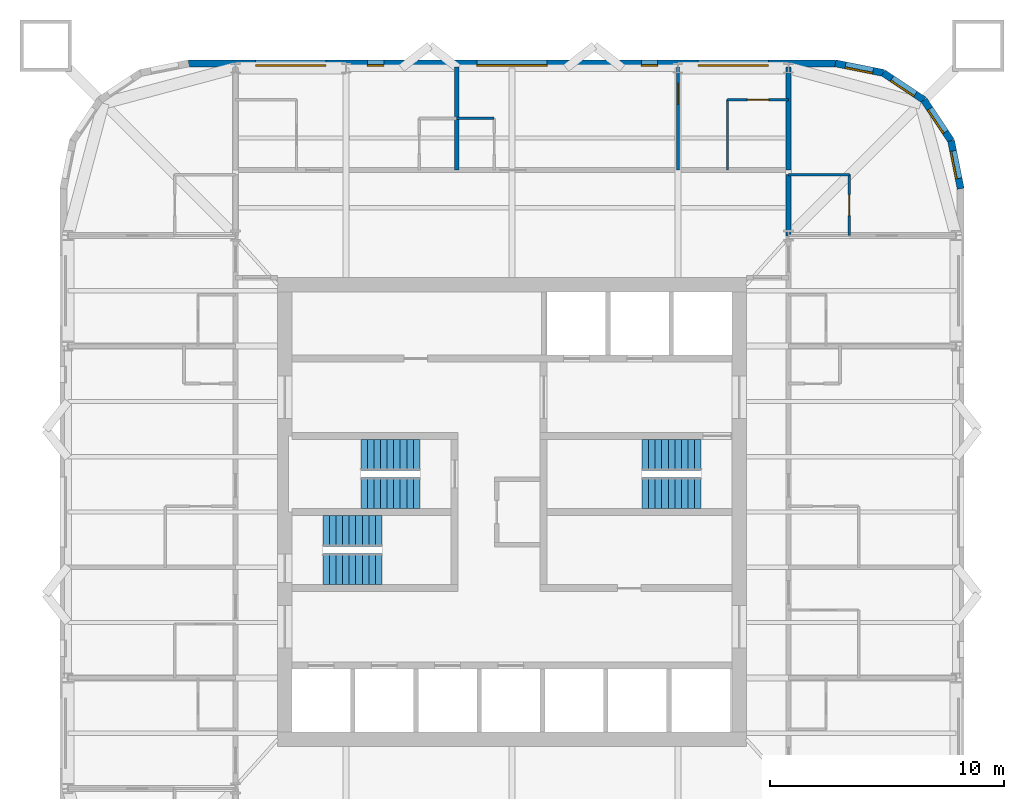
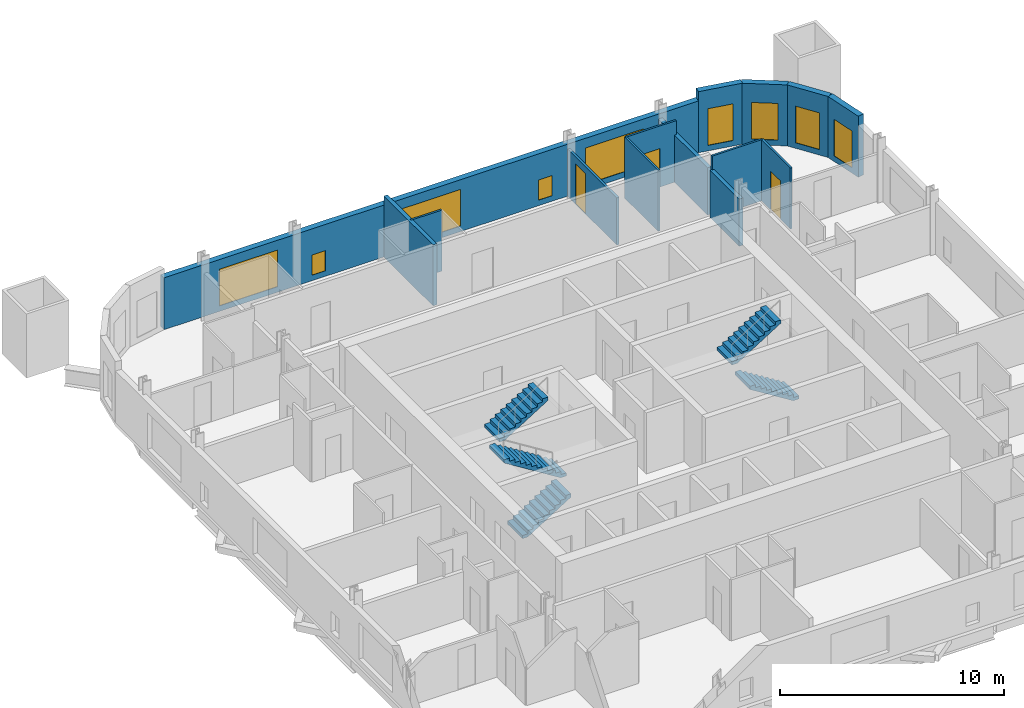
# One storey, part 7 of 8: 14 walls, 9 windows, 6 stair flights, 3 doors, 12 openings, 3 elements without a shape of their own.
"""IFC4 building model written with IfcOpenShell, lengths in metres."""

from ifc_helpers import new_model, si_unit, direction, frame, frame_2d, origin, place, context, subcontext, project, spatial, polyline, rectangle, outline, extrude, material, layer, layer_set, type_object, element, fill, aggregate, save


model = new_model("IFC4")

# Units and contexts
model_context = context("Model", 3, precision=1e-05, world=origin(), true_north=direction((0.0, 1.0)))
body_context = subcontext(model_context, "Body", "Model", "MODEL_VIEW")
ifc_project = project(units=[si_unit("LENGTHUNIT", "METRE"), si_unit("AREAUNIT", "SQUARE_METRE"), si_unit("VOLUMEUNIT", "CUBIC_METRE"), si_unit("PLANEANGLEUNIT", "RADIAN"), si_unit("MASSUNIT", "GRAM", prefix="KILO")], contexts=[model_context])

# Site, building, storey
site_placement = place(None, origin())
site = spatial("IfcSite", under=ifc_project, at=site_placement, CompositionType="ELEMENT")
building_placement = place(site_placement, origin())
building = spatial("IfcBuilding", under=site, at=building_placement, Name="Turquesa Mirador Hotel Tower", CompositionType="ELEMENT")
storey_placement = place(building_placement, frame((0.0, 0.0, 196.800048828125)))
storey = spatial("IfcBuildingStorey", under=building, at=storey_placement, Name="L53", CompositionType="ELEMENT", Elevation=196.800048828125)

# Walls
ifc_material_1 = material(Name="Gypsum board on steel studs", Category="steel")
ifc_layer_1 = layer(ifc_material_1, 0.10009765625)
ifc_layer_set_1 = layer_set([ifc_layer_1], Name="BATHROOM WALL 100")
wall_type_1 = type_object("IfcWallType", Name="BATHROOM WALL 100", PredefinedType="PARTITIONING", material=ifc_layer_set_1)
wall_1_placement = place(storey_placement, frame((66.800048828125, 59.39990234375, 0.0), z_axis=(0.0, 0.0, 1.0), x_axis=(1.0, 0.0, 0.0)))
element("IfcWall", 1, at=wall_1_placement, inside=storey, type_object=wall_type_1, Name="Partition L53 029", PredefinedType="PARTITIONING", context=body_context, shape_type="SweptSolid", body=[
    extrude(rectangle(XDim=2.599853515625, YDim=0.10009765625, at=frame_2d((1.2998046875, 0.0))), origin(), (0.0, 0.0, 1.0), 3.329833984375),
])
wall_2_placement = place(storey_placement, frame((52.639892578125, 61.800048828125, 0.0), z_axis=(0.0, 0.0, 1.0), x_axis=(1.0, 0.0, 0.0)))
element("IfcWall", 2, at=wall_2_placement, inside=storey, type_object=wall_type_1, Name="Partition L53 031", PredefinedType="PARTITIONING", context=body_context, shape_type="SweptSolid", body=[
    extrude(rectangle(XDim=1.60009765625, YDim=0.10009765625, at=frame_2d((0.800048828125, 0.0))), origin(), (0.0, 0.0, 1.0), 3.329833984375),
])

# Wall, opening, door
wall_3_placement = place(storey_placement, frame((64.199951171875, 62.60009765625, 0.0), z_axis=(0.0, 0.0, 1.0), x_axis=(1.0, 0.0, 0.0)))
wall_3 = element("IfcWall", 3, at=wall_3_placement, inside=storey, type_object=wall_type_1, Name="Partition L53 034", PredefinedType="PARTITIONING", context=body_context, shape_type="SweptSolid", body=[
    extrude(rectangle(XDim=2.60009765625, YDim=0.10009765625, at=frame_2d((1.300048828125, 0.0))), origin(), (0.0, 0.0, 1.0), 3.329833984375),
])
opening_1_placement = place(wall_3_placement, frame((0.85009765625, 0.0, 0.0)))
opening_1 = element("IfcOpeningElement", 4, at=opening_1_placement, cuts=wall_3, Name="Opening D02", PredefinedType="OPENING", context=body_context, shape_type="SweptSolid", body=[
    extrude(rectangle(XDim=0.89990234375, YDim=2.10009765625, at=frame_2d((0.449951171875, 1.050048828125))), frame((0.0, 0.06005859375, 0.0), z_axis=(0.0, -1.0, 0.0), x_axis=(1.0, 0.0, 0.0)), (0.0, 0.0, 1.0), 0.1201171875),
])
ifc_material_2 = material(Name="Timber veneered door", Category="wood")
door_type_1 = type_object("IfcDoorType", Name="DOOR 900X2100 EN-SUITE", OperationType="SINGLE_SWING_RIGHT", PredefinedType="DOOR", material=ifc_material_2)
door_1_placement = place(opening_1_placement, origin())
door_1 = element("IfcDoor", 5, at=door_1_placement, inside=storey, type_object=door_type_1, Name="Door 5302B", OperationType="SINGLE_SWING_RIGHT", OverallHeight=2.10009765625, OverallWidth=0.89990234375, PredefinedType="DOOR", context=body_context, shape_type="SweptSolid", body=[
    extrude(rectangle(XDim=0.89990234375, YDim=2.10009765625, at=frame_2d((0.449951171875, 1.050048828125))), frame((0.0, 0.02490234375, 0.0), z_axis=(0.0, -1.0, 0.0), x_axis=(1.0, 0.0, 0.0)), (0.0, 0.0, 1.0), 0.050048828125),
])
fill(opening_1, door_1)

wall_4_placement = place(storey_placement, frame((69.39990234375, 56.800048828125, 0.0), z_axis=(0.0, 0.0, 1.0), x_axis=(0.0, 1.0, 0.0)))
wall_4 = element("IfcWall", 6, at=wall_4_placement, inside=storey, type_object=wall_type_1, Name="Partition L53 066", PredefinedType="PARTITIONING", context=body_context, shape_type="SweptSolid", body=[
    extrude(rectangle(XDim=2.599853515625, YDim=0.10009765625, at=frame_2d((1.2998046875, 0.0))), origin(), (0.0, 0.0, 1.0), 3.329833984375),
])
opening_2_placement = place(wall_4_placement, frame((0.85009765625, 0.0, 0.0)))
opening_2 = element("IfcOpeningElement", 7, at=opening_2_placement, cuts=wall_4, Name="Opening D02", PredefinedType="OPENING", context=body_context, shape_type="SweptSolid", body=[
    extrude(rectangle(XDim=0.89990234375, YDim=2.10009765625, at=frame_2d((0.449951171875, 1.050048828125))), frame((0.0, 0.06005859375, 0.0), z_axis=(0.0, -1.0, 0.0), x_axis=(1.0, 0.0, 0.0)), (0.0, 0.0, 1.0), 0.1201171875),
])
door_2_placement = place(opening_2_placement, origin())
door_2 = element("IfcDoor", 8, at=door_2_placement, inside=storey, type_object=door_type_1, Name="Door 5309B", OperationType="SINGLE_SWING_RIGHT", OverallHeight=2.10009765625, OverallWidth=0.89990234375, PredefinedType="DOOR", context=body_context, shape_type="SweptSolid", body=[
    extrude(rectangle(XDim=0.89990234375, YDim=2.10009765625, at=frame_2d((0.449951171875, 1.050048828125))), frame((0.0, 0.02490234375, 0.0), z_axis=(0.0, -1.0, 0.0), x_axis=(1.0, 0.0, 0.0)), (0.0, 0.0, 1.0), 0.050048828125),
])
fill(opening_2, door_2)

# Walls
wall_5_placement = place(storey_placement, frame((64.199951171875, 59.60009765625, 0.0), z_axis=(0.0, 0.0, 1.0), x_axis=(0.0, 1.0, 0.0)))
element("IfcWall", 9, at=wall_5_placement, inside=storey, type_object=wall_type_1, Name="Partition L53 072", PredefinedType="PARTITIONING", context=body_context, shape_type="SweptSolid", body=[
    extrude(rectangle(XDim=3.0, YDim=0.10009765625, at=frame_2d((1.5, 0.0))), origin(), (0.0, 0.0, 1.0), 3.329833984375),
])
ifc_material_3 = material(Name="Fire-rated gypsum board on steel studs", Category="steel")
ifc_layer_2 = layer(ifc_material_3, 0.199951171875)
ifc_layer_set_2 = layer_set([ifc_layer_2], Name="CORRIDOR WALL 200")
wall_type_2 = type_object("IfcWallType", Name="CORRIDOR WALL 200", PredefinedType="PARTITIONING", material=ifc_layer_set_2)
wall_6_placement = place(storey_placement, frame((66.800048828125, 56.780029296875, 0.0), z_axis=(0.0, 0.0, 1.0), x_axis=(0.0, 1.0, 0.0)))
element("IfcWall", 10, at=wall_6_placement, inside=storey, type_object=wall_type_2, Name="Partition L53 076", PredefinedType="PARTITIONING", context=body_context, shape_type="SweptSolid", body=[
    extrude(rectangle(XDim=2.619873046875, YDim=0.199951171875, at=frame_2d((1.31005859375, 0.0))), origin(), (0.0, 0.0, 1.0), 2.572998046875),
])

# Wall, opening, window
ifc_material_4 = material(Name="Limestone cladding on concrete block", Category="masonry")
ifc_layer_3 = layer(ifc_material_4, 0.300048828125)
ifc_layer_set_3 = layer_set([ifc_layer_3], Name="FACADE WALL 300 STONE SCREEN")
wall_type_3 = type_object("IfcWallType", Name="FACADE WALL 300 STONE SCREEN", PredefinedType="SOLIDWALL", material=ifc_layer_set_3)
wall_7_placement = place(storey_placement, frame((74.14990234375, 58.800048828125, 0.0), z_axis=(0.0, 0.0, 1.0), x_axis=(-0.195081421501, 0.980787050784, 0.0)))
wall_7 = element("IfcWall", 11, at=wall_7_placement, inside=storey, type_object=wall_type_3, Name="Facade wall L53 05", PredefinedType="SOLIDWALL", context=body_context, shape_type="SweptSolid", body=[
    extrude(rectangle(XDim=2.08740234375, YDim=0.300048828125, at=frame_2d((1.043701171875, 0.0))), origin(), (0.0, 0.0, 1.0), 3.329833984375),
])
opening_3_placement = place(wall_7_placement, frame((0.443603515625, 0.0, 0.300048828125)))
opening_3 = element("IfcOpeningElement", 12, at=opening_3_placement, cuts=wall_7, Name="Opening WN4", PredefinedType="OPENING", context=body_context, shape_type="SweptSolid", body=[
    extrude(rectangle(XDim=1.199951171875, YDim=2.0, at=frame_2d((0.60009765625, 1.0))), frame((0.0, 0.159912109375, 0.0), z_axis=(0.0, -1.0, 0.0), x_axis=(1.0, 0.0, 0.0)), (0.0, 0.0, 1.0), 0.320068359375),
])
ifc_material_5 = material(Name="Ceramic-fritted laminated glass", Category="glass")
window_type_1 = type_object("IfcWindowType", Name="FRITTED CORNER WINDOW 1200X2000", PartitioningType="DOUBLE_PANEL_HORIZONTAL", PredefinedType="WINDOW", material=ifc_material_5)
window_1_placement = place(opening_3_placement, origin())
window_1 = element("IfcWindow", 13, at=window_1_placement, inside=storey, type_object=window_type_1, Name="Window L53", OverallHeight=2.0, OverallWidth=1.199951171875, PartitioningType="SINGLE_PANEL", PredefinedType="WINDOW", context=body_context, shape_type="SweptSolid", body=[
    extrude(rectangle(XDim=1.199951171875, YDim=2.0, at=frame_2d((0.60009765625, 1.0))), frame((0.0, 0.130126953125, 0.0), z_axis=(0.0, -1.0, 0.0), x_axis=(1.0, 0.0, 0.0)), (0.0, 0.0, 1.0), 0.06005859375),
])
fill(opening_3, window_1)

wall_8_placement = place(storey_placement, frame((73.74267578125, 60.847412109375, 0.0), z_axis=(0.0, 0.0, 1.0), x_axis=(-0.555563607591, 0.831474039234, 0.0)))
wall_8 = element("IfcWall", 14, at=wall_8_placement, inside=storey, type_object=wall_type_3, Name="Facade wall L53 06", PredefinedType="SOLIDWALL", context=body_context, shape_type="SweptSolid", body=[
    extrude(rectangle(XDim=2.08740234375, YDim=0.300048828125, at=frame_2d((1.043701171875, 0.0))), origin(), (0.0, 0.0, 1.0), 3.329833984375),
])
opening_4_placement = place(wall_8_placement, frame((0.443603515625, 0.0, 0.300048828125)))
opening_4 = element("IfcOpeningElement", 15, at=opening_4_placement, cuts=wall_8, Name="Opening WN4", PredefinedType="OPENING", context=body_context, shape_type="SweptSolid", body=[
    extrude(rectangle(XDim=1.199951171875, YDim=2.0, at=frame_2d((0.60009765625, 1.0))), frame((0.0, 0.159912109375, 0.0), z_axis=(0.0, -1.0, 0.0), x_axis=(1.0, 0.0, 0.0)), (0.0, 0.0, 1.0), 0.320068359375),
])
window_2_placement = place(opening_4_placement, origin())
window_2 = element("IfcWindow", 16, at=window_2_placement, inside=storey, type_object=window_type_1, Name="Window L53", OverallHeight=2.0, OverallWidth=1.199951171875, PartitioningType="SINGLE_PANEL", PredefinedType="WINDOW", context=body_context, shape_type="SweptSolid", body=[
    extrude(rectangle(XDim=1.199951171875, YDim=2.0, at=frame_2d((0.60009765625, 1.0))), frame((0.0, 0.130126953125, 0.0), z_axis=(0.0, -1.0, 0.0), x_axis=(1.0, 0.0, 0.0)), (0.0, 0.0, 1.0), 0.06005859375),
])
fill(opening_4, window_2)

wall_9_placement = place(storey_placement, frame((72.5830078125, 62.5830078125, 0.0), z_axis=(0.0, 0.0, 1.0), x_axis=(-0.831474039234, 0.555563607591, 0.0)))
wall_9 = element("IfcWall", 17, at=wall_9_placement, inside=storey, type_object=wall_type_3, Name="Facade wall L53 07", PredefinedType="SOLIDWALL", context=body_context, shape_type="SweptSolid", body=[
    extrude(rectangle(XDim=2.08740234375, YDim=0.300048828125, at=frame_2d((1.043701171875, 0.0))), origin(), (0.0, 0.0, 1.0), 3.329833984375),
])
opening_5_placement = place(wall_9_placement, frame((0.443603515625, 0.0, 0.300048828125)))
opening_5 = element("IfcOpeningElement", 18, at=opening_5_placement, cuts=wall_9, Name="Opening WN4", PredefinedType="OPENING", context=body_context, shape_type="SweptSolid", body=[
    extrude(rectangle(XDim=1.199951171875, YDim=2.0, at=frame_2d((0.60009765625, 1.0))), frame((0.0, 0.159912109375, 0.0), z_axis=(0.0, -1.0, 0.0), x_axis=(1.0, 0.0, 0.0)), (0.0, 0.0, 1.0), 0.320068359375),
])
window_3_placement = place(opening_5_placement, origin())
window_3 = element("IfcWindow", 19, at=window_3_placement, inside=storey, type_object=window_type_1, Name="Window L53", OverallHeight=2.0, OverallWidth=1.199951171875, PartitioningType="SINGLE_PANEL", PredefinedType="WINDOW", context=body_context, shape_type="SweptSolid", body=[
    extrude(rectangle(XDim=1.199951171875, YDim=2.0, at=frame_2d((0.60009765625, 1.0))), frame((0.0, 0.130126953125, 0.0), z_axis=(0.0, -1.0, 0.0), x_axis=(1.0, 0.0, 0.0)), (0.0, 0.0, 1.0), 0.06005859375),
])
fill(opening_5, window_3)

wall_10_placement = place(storey_placement, frame((70.847412109375, 63.74267578125, 0.0), z_axis=(0.0, 0.0, 1.0), x_axis=(-0.980787050784, 0.195081421501, 0.0)))
wall_10 = element("IfcWall", 20, at=wall_10_placement, inside=storey, type_object=wall_type_3, Name="Facade wall L53 08", PredefinedType="SOLIDWALL", context=body_context, shape_type="SweptSolid", body=[
    extrude(rectangle(XDim=2.08740234375, YDim=0.300048828125, at=frame_2d((1.043701171875, 0.0))), origin(), (0.0, 0.0, 1.0), 3.329833984375),
])
opening_6_placement = place(wall_10_placement, frame((0.443603515625, 0.0, 0.300048828125)))
opening_6 = element("IfcOpeningElement", 21, at=opening_6_placement, cuts=wall_10, Name="Opening WN4", PredefinedType="OPENING", context=body_context, shape_type="SweptSolid", body=[
    extrude(rectangle(XDim=1.199951171875, YDim=2.0, at=frame_2d((0.60009765625, 1.0))), frame((0.0, 0.159912109375, 0.0), z_axis=(0.0, -1.0, 0.0), x_axis=(1.0, 0.0, 0.0)), (0.0, 0.0, 1.0), 0.320068359375),
])
window_4_placement = place(opening_6_placement, origin())
window_4 = element("IfcWindow", 22, at=window_4_placement, inside=storey, type_object=window_type_1, Name="Window L53", OverallHeight=2.0, OverallWidth=1.199951171875, PartitioningType="SINGLE_PANEL", PredefinedType="WINDOW", context=body_context, shape_type="SweptSolid", body=[
    extrude(rectangle(XDim=1.199951171875, YDim=2.0, at=frame_2d((0.60009765625, 1.0))), frame((0.0, 0.130126953125, 0.0), z_axis=(0.0, -1.0, 0.0), x_axis=(1.0, 0.0, 0.0)), (0.0, 0.0, 1.0), 0.06005859375),
])
fill(opening_6, window_4)

# Wall, openings, windows
wall_11_placement = place(storey_placement, frame((68.800048828125, 64.14990234375, 0.0), z_axis=(0.0, 0.0, 1.0), x_axis=(-1.0, 0.0, 0.0)))
wall_11 = element("IfcWall", 23, at=wall_11_placement, inside=storey, type_object=wall_type_3, Name="Facade wall L53 09", PredefinedType="SOLIDWALL", context=body_context, shape_type="SweptSolid", body=[
    extrude(rectangle(XDim=27.60009765625, YDim=0.300048828125, at=frame_2d((13.800048828125, 0.0))), origin(), (0.0, 0.0, 1.0), 2.829833984375),
])
opening_7_placement = place(wall_11_placement, frame((2.860107421875, 0.0, 0.300048828125)))
opening_7 = element("IfcOpeningElement", 24, at=opening_7_placement, cuts=wall_11, Name="Opening WN1", PredefinedType="OPENING", context=body_context, shape_type="SweptSolid", body=[
    extrude(rectangle(XDim=3.0, YDim=2.0, at=frame_2d((1.5, 1.0))), frame((0.0, 0.159912109375, 0.0), z_axis=(0.0, -1.0, 0.0), x_axis=(1.0, 0.0, 0.0)), (0.0, 0.0, 1.0), 0.320068359375),
])
opening_8_placement = place(wall_11_placement, frame((7.580078125, 0.0, 0.300048828125)))
opening_8 = element("IfcOpeningElement", 25, at=opening_8_placement, cuts=wall_11, Name="Opening WN33", PredefinedType="OPENING", context=body_context, shape_type="SweptSolid", body=[
    extrude(rectangle(XDim=0.699951171875, YDim=1.10009765625, at=frame_2d((0.35009765625, 0.550048828125))), frame((0.0, 0.159912109375, 0.0), z_axis=(0.0, -1.0, 0.0), x_axis=(1.0, 0.0, 0.0)), (0.0, 0.0, 1.0), 0.320068359375),
])
opening_9_placement = place(wall_11_placement, frame((12.300048828125, 0.0, 0.300048828125)))
opening_9 = element("IfcOpeningElement", 26, at=opening_9_placement, cuts=wall_11, Name="Opening WN1", PredefinedType="OPENING", context=body_context, shape_type="SweptSolid", body=[
    extrude(rectangle(XDim=3.0, YDim=2.0, at=frame_2d((1.5, 1.0))), frame((0.0, 0.159912109375, 0.0), z_axis=(0.0, -1.0, 0.0), x_axis=(1.0, 0.0, 0.0)), (0.0, 0.0, 1.0), 0.320068359375),
])
opening_10_placement = place(wall_11_placement, frame((19.27001953125, 0.0, 0.300048828125)))
opening_10 = element("IfcOpeningElement", 27, at=opening_10_placement, cuts=wall_11, Name="Opening WN33", PredefinedType="OPENING", context=body_context, shape_type="SweptSolid", body=[
    extrude(rectangle(XDim=0.699951171875, YDim=1.10009765625, at=frame_2d((0.35009765625, 0.550048828125))), frame((0.0, 0.159912109375, 0.0), z_axis=(0.0, -1.0, 0.0), x_axis=(1.0, 0.0, 0.0)), (0.0, 0.0, 1.0), 0.320068359375),
])
opening_11_placement = place(wall_11_placement, frame((21.739990234375, 0.0, 0.300048828125)))
opening_11 = element("IfcOpeningElement", 28, at=opening_11_placement, cuts=wall_11, Name="Opening WN1", PredefinedType="OPENING", context=body_context, shape_type="SweptSolid", body=[
    extrude(rectangle(XDim=3.0, YDim=2.0, at=frame_2d((1.5, 1.0))), frame((0.0, 0.159912109375, 0.0), z_axis=(0.0, -1.0, 0.0), x_axis=(1.0, 0.0, 0.0)), (0.0, 0.0, 1.0), 0.320068359375),
])
ifc_material_6 = material(Name="Ceramic-fritted laminated glass", Category="glass")
window_type_2 = type_object("IfcWindowType", Name="FRITTED WINDOW 3000X2000", PartitioningType="DOUBLE_PANEL_HORIZONTAL", PredefinedType="WINDOW", material=ifc_material_6)
window_5_placement = place(opening_7_placement, origin())
window_5 = element("IfcWindow", 29, at=window_5_placement, inside=storey, type_object=window_type_2, Name="Window L53", OverallHeight=2.0, OverallWidth=3.0, PartitioningType="SINGLE_PANEL", PredefinedType="WINDOW", context=body_context, shape_type="SweptSolid", body=[
    extrude(rectangle(XDim=3.0, YDim=2.0, at=frame_2d((1.5, 1.0))), frame((0.0, 0.130126953125, 0.0), z_axis=(0.0, -1.0, 0.0), x_axis=(1.0, 0.0, 0.0)), (0.0, 0.0, 1.0), 0.06005859375),
])
fill(opening_7, window_5)
window_6_placement = place(opening_9_placement, origin())
window_6 = element("IfcWindow", 30, at=window_6_placement, inside=storey, type_object=window_type_2, Name="Window L53", OverallHeight=2.0, OverallWidth=3.0, PartitioningType="SINGLE_PANEL", PredefinedType="WINDOW", context=body_context, shape_type="SweptSolid", body=[
    extrude(rectangle(XDim=3.0, YDim=2.0, at=frame_2d((1.5, 1.0))), frame((0.0, 0.130126953125, 0.0), z_axis=(0.0, -1.0, 0.0), x_axis=(1.0, 0.0, 0.0)), (0.0, 0.0, 1.0), 0.06005859375),
])
fill(opening_9, window_6)
window_7_placement = place(opening_11_placement, origin())
window_7 = element("IfcWindow", 31, at=window_7_placement, inside=storey, type_object=window_type_2, Name="Window L53", OverallHeight=2.0, OverallWidth=3.0, PartitioningType="SINGLE_PANEL", PredefinedType="WINDOW", context=body_context, shape_type="SweptSolid", body=[
    extrude(rectangle(XDim=3.0, YDim=2.0, at=frame_2d((1.5, 1.0))), frame((0.0, 0.130126953125, 0.0), z_axis=(0.0, -1.0, 0.0), x_axis=(1.0, 0.0, 0.0)), (0.0, 0.0, 1.0), 0.06005859375),
])
fill(opening_11, window_7)
ifc_material_7 = material(Name="Ceramic-fritted laminated glass", Category="glass")
window_type_3 = type_object("IfcWindowType", Name="FRITTED WINDOW 700X1100", PartitioningType="DOUBLE_PANEL_HORIZONTAL", PredefinedType="WINDOW", material=ifc_material_7)
window_8_placement = place(opening_8_placement, origin())
window_8 = element("IfcWindow", 32, at=window_8_placement, inside=storey, type_object=window_type_3, Name="Window L53", OverallHeight=1.10009765625, OverallWidth=0.699951171875, PartitioningType="SINGLE_PANEL", PredefinedType="WINDOW", context=body_context, shape_type="SweptSolid", body=[
    extrude(rectangle(XDim=0.699951171875, YDim=1.10009765625, at=frame_2d((0.35009765625, 0.550048828125))), frame((0.0, 0.130126953125, 0.0), z_axis=(0.0, -1.0, 0.0), x_axis=(1.0, 0.0, 0.0)), (0.0, 0.0, 1.0), 0.06005859375),
])
fill(opening_8, window_8)
window_9_placement = place(opening_10_placement, origin())
window_9 = element("IfcWindow", 33, at=window_9_placement, inside=storey, type_object=window_type_3, Name="Window L53", OverallHeight=1.10009765625, OverallWidth=0.699951171875, PartitioningType="SINGLE_PANEL", PredefinedType="WINDOW", context=body_context, shape_type="SweptSolid", body=[
    extrude(rectangle(XDim=0.699951171875, YDim=1.10009765625, at=frame_2d((0.35009765625, 0.550048828125))), frame((0.0, 0.130126953125, 0.0), z_axis=(0.0, -1.0, 0.0), x_axis=(1.0, 0.0, 0.0)), (0.0, 0.0, 1.0), 0.06005859375),
])
fill(opening_10, window_9)

# Walls
ifc_material_8 = material(Name="Fire-rated gypsum board on steel studs", Category="steel")
ifc_layer_4 = layer(ifc_material_8, 0.199951171875)
ifc_layer_set_4 = layer_set([ifc_layer_4], Name="PARTY WALL 200")
wall_type_4 = type_object("IfcWallType", Name="PARTY WALL 200", PredefinedType="PARTITIONING", material=ifc_layer_set_4)
wall_12_placement = place(storey_placement, frame((52.639892578125, 59.60009765625, 0.0), z_axis=(0.0, 0.0, 1.0), x_axis=(0.0, 1.0, 0.0)))
element("IfcWall", 34, at=wall_12_placement, inside=storey, type_object=wall_type_4, Name="Partition L53 054", PredefinedType="PARTITIONING", context=body_context, shape_type="SweptSolid", body=[
    extrude(rectangle(XDim=4.39990234375, YDim=0.199951171875, at=frame_2d((2.199951171875, 0.0))), origin(), (0.0, 0.0, 1.0), 3.329833984375),
])
wall_13_placement = place(storey_placement, frame((66.800048828125, 59.60009765625, 0.0), z_axis=(0.0, 0.0, 1.0), x_axis=(0.0, 1.0, 0.0)))
element("IfcWall", 35, at=wall_13_placement, inside=storey, type_object=wall_type_4, Name="Partition L53 061", PredefinedType="PARTITIONING", context=body_context, shape_type="SweptSolid", body=[
    extrude(rectangle(XDim=4.39990234375, YDim=0.199951171875, at=frame_2d((2.199951171875, 0.0))), origin(), (0.0, 0.0, 1.0), 2.572998046875),
])

# Wall, opening, door
ifc_material_9 = material(Name="Acoustic gypsum board on steel studs", Category="steel")
ifc_layer_5 = layer(ifc_material_9, 0.125)
ifc_layer_set_5 = layer_set([ifc_layer_5], Name="SUITE PARTITION 125")
wall_type_5 = type_object("IfcWallType", Name="SUITE PARTITION 125", PredefinedType="PARTITIONING", material=ifc_layer_set_5)
wall_14_placement = place(storey_placement, frame((62.080078125, 59.60009765625, 0.0), z_axis=(0.0, 0.0, 1.0), x_axis=(0.0, 1.0, 0.0)))
wall_14 = element("IfcWall", 36, at=wall_14_placement, inside=storey, type_object=wall_type_5, Name="Partition L53 070", PredefinedType="PARTITIONING", context=body_context, shape_type="SweptSolid", body=[
    extrude(rectangle(XDim=4.39990234375, YDim=0.125, at=frame_2d((2.199951171875, 0.0))), origin(), (0.0, 0.0, 1.0), 2.572998046875),
])
opening_12_placement = place(wall_14_placement, frame((2.800048828125, 0.0, 0.0)))
opening_12 = element("IfcOpeningElement", 37, at=opening_12_placement, cuts=wall_14, Name="Opening D17", PredefinedType="OPENING", context=body_context, shape_type="SweptSolid", body=[
    extrude(rectangle(XDim=0.89990234375, YDim=2.199951171875, at=frame_2d((0.449951171875, 1.10009765625))), frame((0.0, 0.072509765625, 0.0), z_axis=(0.0, -1.0, 0.0), x_axis=(1.0, 0.0, 0.0)), (0.0, 0.0, 1.0), 0.14501953125),
])
ifc_material_10 = material(Name="Timber veneered door", Category="wood")
door_type_2 = type_object("IfcDoorType", Name="DOOR 900X2200 SUITE INTERNAL", OperationType="SINGLE_SWING_LEFT", PredefinedType="DOOR", material=ifc_material_10)
door_3_placement = place(opening_12_placement, origin())
door_3 = element("IfcDoor", 38, at=door_3_placement, inside=storey, type_object=door_type_2, Name="Door 5302R", OperationType="SINGLE_SWING_LEFT", OverallHeight=2.199951171875, OverallWidth=0.89990234375, PredefinedType="DOOR", context=body_context, shape_type="SweptSolid", body=[
    extrude(rectangle(XDim=0.89990234375, YDim=2.199951171875, at=frame_2d((0.449951171875, 1.10009765625))), frame((0.0, 0.02490234375, 0.0), z_axis=(0.0, -1.0, 0.0), x_axis=(1.0, 0.0, 0.0)), (0.0, 0.0, 1.0), 0.050048828125),
])
fill(opening_12, door_3)

# Stair, stair flights
ifc_material_11 = material(Name="Concrete C35/45", Category="concrete")
stair_type = type_object("IfcStairType", Name="ESCAPE STAIR CORE", PredefinedType="HALF_TURN_STAIR", material=ifc_material_11)
stair_1_placement = place(storey_placement, origin())
stair_1 = element("IfcStair", 39, at=stair_1_placement, inside=storey, type_object=stair_type, Name="Stair ST1 L53 to L54", PredefinedType="HALF_TURN_STAIR")
ifc_material_12 = material(Name="Concrete C35/45 precast flight", Category="concrete")
stair_flight_type = type_object("IfcStairFlightType", Name="STAIR FLIGHT 1330", PredefinedType="STRAIGHT", material=ifc_material_12)
stair_flight_1_placement = place(storey_placement, frame((51.070068359375, 45.81494140625, 0.0), z_axis=(0.0, 0.0, 1.0), x_axis=(-1.0, 0.0, 0.0)))
stair_flight_1 = element("IfcStairFlight", 40, at=stair_flight_1_placement, type_object=stair_flight_type, Name="ST1 flight 1", NumberOfRisers=10, NumberOfTreads=9, PredefinedType="STRAIGHT", RiserHeight=0.175, TreadLength=0.28, context=body_context, shape_type="SweptSolid", body=[
    extrude(outline(polyline([(0.0, 0.0), (0.0, 0.175048828125), (0.280029296875, 0.175048828125), (0.280029296875, 0.35009765625), (0.56005859375, 0.35009765625), (0.56005859375, 0.52490234375), (0.840087890625, 0.52490234375), (0.840087890625, 0.699951171875), (1.1201171875, 0.699951171875), (1.1201171875, 0.875), (1.39990234375, 0.875), (1.39990234375, 1.050048828125), (1.679931640625, 1.050048828125), (1.679931640625, 1.22509765625), (1.9599609375, 1.22509765625), (1.9599609375, 1.39990234375), (2.239990234375, 1.39990234375), (2.239990234375, 1.574951171875), (2.52001953125, 1.574951171875), (2.52001953125, 1.75), (2.52001953125, 1.398193359375), (0.28271484375, 0.0), (0.0, 0.0)])), frame((0.0, 0.6650390625, 0.0), z_axis=(0.0, -1.0, 0.0), x_axis=(1.0, 0.0, 0.0)), (0.0, 0.0, 1.0), 1.330078125),
])
stair_flight_2_placement = place(storey_placement, frame((48.550048828125, 47.43505859375, 1.75), z_axis=(0.0, 0.0, 1.0), x_axis=(1.0, 0.0, 0.0)))
stair_flight_2 = element("IfcStairFlight", 41, at=stair_flight_2_placement, type_object=stair_flight_type, Name="ST1 flight 2", NumberOfRisers=10, NumberOfTreads=9, PredefinedType="STRAIGHT", RiserHeight=0.175, TreadLength=0.28, context=body_context, shape_type="SweptSolid", body=[
    extrude(outline(polyline([(0.0, 0.0), (0.0, 0.175048828125), (0.280029296875, 0.175048828125), (0.280029296875, 0.35009765625), (0.56005859375, 0.35009765625), (0.56005859375, 0.52490234375), (0.840087890625, 0.52490234375), (0.840087890625, 0.699951171875), (1.1201171875, 0.699951171875), (1.1201171875, 0.875), (1.39990234375, 0.875), (1.39990234375, 1.050048828125), (1.679931640625, 1.050048828125), (1.679931640625, 1.22509765625), (1.9599609375, 1.22509765625), (1.9599609375, 1.39990234375), (2.239990234375, 1.39990234375), (2.239990234375, 1.574951171875), (2.52001953125, 1.574951171875), (2.52001953125, 1.75), (2.52001953125, 1.398193359375), (0.28271484375, 0.0), (0.0, 0.0)])), frame((0.0, 0.6650390625, 0.0), z_axis=(0.0, -1.0, 0.0), x_axis=(1.0, 0.0, 0.0)), (0.0, 0.0, 1.0), 1.330078125),
])
aggregate(stair_1, [stair_flight_1, stair_flight_2])

stair_2_placement = place(storey_placement, origin())
stair_2 = element("IfcStair", 42, at=stair_2_placement, inside=storey, type_object=stair_type, Name="Stair ST2 L53 to L54", PredefinedType="HALF_TURN_STAIR")
stair_flight_3_placement = place(storey_placement, frame((46.929931640625, 42.56494140625, 0.0), z_axis=(0.0, 0.0, 1.0), x_axis=(1.0, 0.0, 0.0)))
stair_flight_3 = element("IfcStairFlight", 43, at=stair_flight_3_placement, type_object=stair_flight_type, Name="ST2 flight 1", NumberOfRisers=10, NumberOfTreads=9, PredefinedType="STRAIGHT", RiserHeight=0.175, TreadLength=0.28, context=body_context, shape_type="SweptSolid", body=[
    extrude(outline(polyline([(0.0, 0.0), (0.0, 0.175048828125), (0.280029296875, 0.175048828125), (0.280029296875, 0.35009765625), (0.56005859375, 0.35009765625), (0.56005859375, 0.52490234375), (0.840087890625, 0.52490234375), (0.840087890625, 0.699951171875), (1.1201171875, 0.699951171875), (1.1201171875, 0.875), (1.39990234375, 0.875), (1.39990234375, 1.050048828125), (1.679931640625, 1.050048828125), (1.679931640625, 1.22509765625), (1.9599609375, 1.22509765625), (1.9599609375, 1.39990234375), (2.239990234375, 1.39990234375), (2.239990234375, 1.574951171875), (2.52001953125, 1.574951171875), (2.52001953125, 1.75), (2.52001953125, 1.398193359375), (0.28271484375, 0.0), (0.0, 0.0)])), frame((0.0, 0.6650390625, 0.0), z_axis=(0.0, -1.0, 0.0), x_axis=(1.0, 0.0, 0.0)), (0.0, 0.0, 1.0), 1.330078125),
])
stair_flight_4_placement = place(storey_placement, frame((49.449951171875, 44.18505859375, 1.75), z_axis=(0.0, 0.0, 1.0), x_axis=(-1.0, 0.0, 0.0)))
stair_flight_4 = element("IfcStairFlight", 44, at=stair_flight_4_placement, type_object=stair_flight_type, Name="ST2 flight 2", NumberOfRisers=10, NumberOfTreads=9, PredefinedType="STRAIGHT", RiserHeight=0.175, TreadLength=0.28, context=body_context, shape_type="SweptSolid", body=[
    extrude(outline(polyline([(0.0, 0.0), (0.0, 0.175048828125), (0.280029296875, 0.175048828125), (0.280029296875, 0.35009765625), (0.56005859375, 0.35009765625), (0.56005859375, 0.52490234375), (0.840087890625, 0.52490234375), (0.840087890625, 0.699951171875), (1.1201171875, 0.699951171875), (1.1201171875, 0.875), (1.39990234375, 0.875), (1.39990234375, 1.050048828125), (1.679931640625, 1.050048828125), (1.679931640625, 1.22509765625), (1.9599609375, 1.22509765625), (1.9599609375, 1.39990234375), (2.239990234375, 1.39990234375), (2.239990234375, 1.574951171875), (2.52001953125, 1.574951171875), (2.52001953125, 1.75), (2.52001953125, 1.398193359375), (0.28271484375, 0.0), (0.0, 0.0)])), frame((0.0, 0.6650390625, 0.0), z_axis=(0.0, -1.0, 0.0), x_axis=(1.0, 0.0, 0.0)), (0.0, 0.0, 1.0), 1.330078125),
])
aggregate(stair_2, [stair_flight_3, stair_flight_4])

stair_3_placement = place(storey_placement, origin())
stair_3 = element("IfcStair", 45, at=stair_3_placement, inside=storey, type_object=stair_type, Name="Stair ST3 L53 to L54", PredefinedType="HALF_TURN_STAIR")
stair_flight_5_placement = place(storey_placement, frame((63.070068359375, 45.81494140625, 0.0), z_axis=(0.0, 0.0, 1.0), x_axis=(-1.0, 0.0, 0.0)))
stair_flight_5 = element("IfcStairFlight", 46, at=stair_flight_5_placement, type_object=stair_flight_type, Name="ST3 flight 1", NumberOfRisers=10, NumberOfTreads=9, PredefinedType="STRAIGHT", RiserHeight=0.175, TreadLength=0.28, context=body_context, shape_type="SweptSolid", body=[
    extrude(outline(polyline([(0.0, 0.0), (0.0, 0.175048828125), (0.280029296875, 0.175048828125), (0.280029296875, 0.35009765625), (0.56005859375, 0.35009765625), (0.56005859375, 0.52490234375), (0.840087890625, 0.52490234375), (0.840087890625, 0.699951171875), (1.1201171875, 0.699951171875), (1.1201171875, 0.875), (1.39990234375, 0.875), (1.39990234375, 1.050048828125), (1.679931640625, 1.050048828125), (1.679931640625, 1.22509765625), (1.9599609375, 1.22509765625), (1.9599609375, 1.39990234375), (2.239990234375, 1.39990234375), (2.239990234375, 1.574951171875), (2.52001953125, 1.574951171875), (2.52001953125, 1.75), (2.52001953125, 1.398193359375), (0.28271484375, 0.0), (0.0, 0.0)])), frame((0.0, 0.6650390625, 0.0), z_axis=(0.0, -1.0, 0.0), x_axis=(1.0, 0.0, 0.0)), (0.0, 0.0, 1.0), 1.330078125),
])
stair_flight_6_placement = place(storey_placement, frame((60.550048828125, 47.43505859375, 1.75), z_axis=(0.0, 0.0, 1.0), x_axis=(1.0, 0.0, 0.0)))
stair_flight_6 = element("IfcStairFlight", 47, at=stair_flight_6_placement, type_object=stair_flight_type, Name="ST3 flight 2", NumberOfRisers=10, NumberOfTreads=9, PredefinedType="STRAIGHT", RiserHeight=0.175, TreadLength=0.28, context=body_context, shape_type="SweptSolid", body=[
    extrude(outline(polyline([(0.0, 0.0), (0.0, 0.175048828125), (0.280029296875, 0.175048828125), (0.280029296875, 0.35009765625), (0.56005859375, 0.35009765625), (0.56005859375, 0.52490234375), (0.840087890625, 0.52490234375), (0.840087890625, 0.699951171875), (1.1201171875, 0.699951171875), (1.1201171875, 0.875), (1.39990234375, 0.875), (1.39990234375, 1.050048828125), (1.679931640625, 1.050048828125), (1.679931640625, 1.22509765625), (1.9599609375, 1.22509765625), (1.9599609375, 1.39990234375), (2.239990234375, 1.39990234375), (2.239990234375, 1.574951171875), (2.52001953125, 1.574951171875), (2.52001953125, 1.75), (2.52001953125, 1.398193359375), (0.28271484375, 0.0), (0.0, 0.0)])), frame((0.0, 0.6650390625, 0.0), z_axis=(0.0, -1.0, 0.0), x_axis=(1.0, 0.0, 0.0)), (0.0, 0.0, 1.0), 1.330078125),
])
aggregate(stair_3, [stair_flight_5, stair_flight_6])

save(model, "model.ifc")
